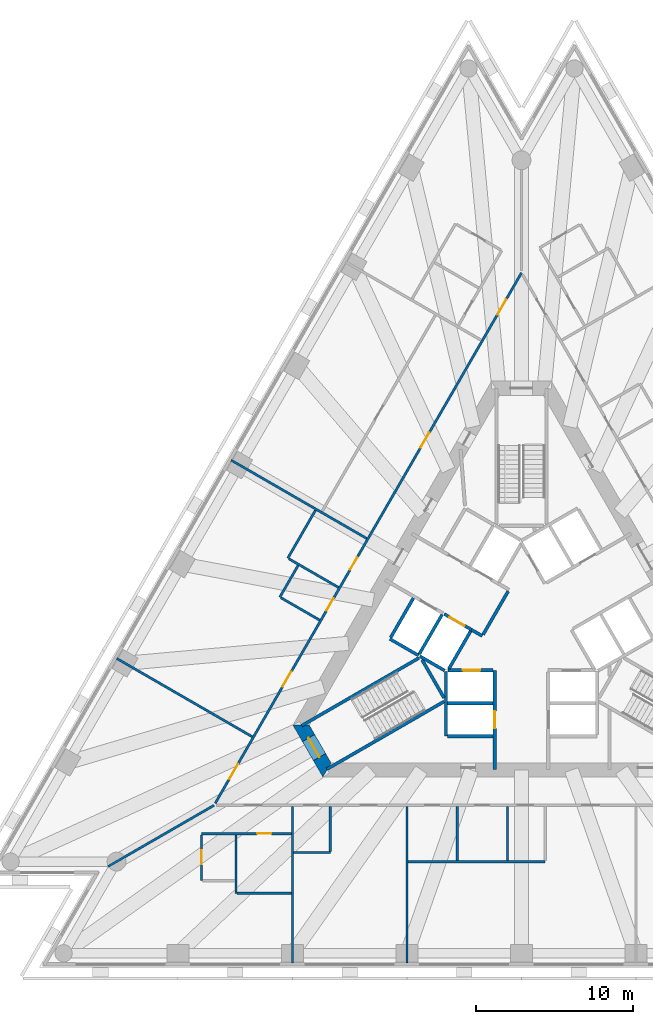
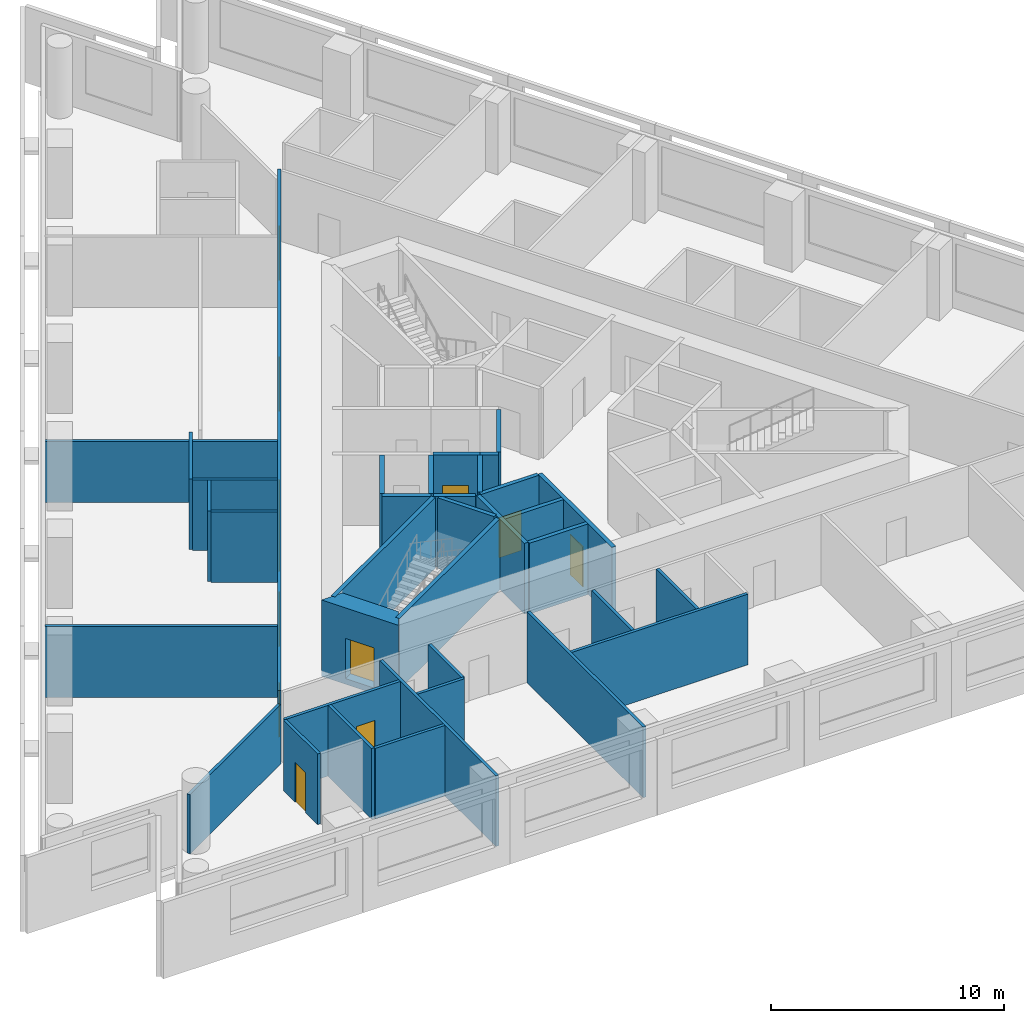
# One storey, part 3 of 11: 36 walls, 12 doors, 12 openings.
"""IFC4 building model written with IfcOpenShell, lengths in metres."""

from ifc_helpers import new_model, si_unit, direction, frame, frame_2d, origin, place, context, subcontext, project, spatial, polyline, rectangle, outline, extrude, material, layer, layer_set, type_object, element, fill, save


model = new_model("IFC4")

# Units and contexts
model_context = context("Model", 3, precision=1e-05, world=origin(), true_north=direction((0.0, 1.0)))
body_context = subcontext(model_context, "Body", "Model", "MODEL_VIEW")
ifc_project = project(units=[si_unit("LENGTHUNIT", "METRE"), si_unit("AREAUNIT", "SQUARE_METRE"), si_unit("VOLUMEUNIT", "CUBIC_METRE"), si_unit("PLANEANGLEUNIT", "RADIAN"), si_unit("MASSUNIT", "GRAM", prefix="KILO")], contexts=[model_context])

# Site, building, storey
site_placement = place(None, origin())
site = spatial("IfcSite", under=ifc_project, at=site_placement, CompositionType="ELEMENT")
building_placement = place(site_placement, origin())
building = spatial("IfcBuilding", under=site, at=building_placement, Name="Triada Interchange Tower", CompositionType="ELEMENT")
storey_placement = place(building_placement, frame((0.0, 0.0, 75.300048828125)))
storey = spatial("IfcBuildingStorey", under=building, at=storey_placement, Name="L16", CompositionType="ELEMENT", Elevation=75.300048828125)

# Walls
ifc_material_1 = material(Name="Concrete C30/37", Category="concrete")
ifc_layer_1 = layer(ifc_material_1, 0.199951171875)
ifc_layer_set_1 = layer_set([ifc_layer_1], Name="CORE WALL 200 EI 120")
wall_type_1 = type_object("IfcWallType", Name="CORE WALL 200 EI 120", PredefinedType="SOLIDWALL", material=ifc_layer_set_1)
wall_1_placement = place(storey_placement, frame((-8.3759765625, -0.70703125, 0.0), z_axis=(0.0, 0.0, 1.0), x_axis=(0.866067520717, -0.499927044236, 0.0)))
element("IfcWall", 1, at=wall_1_placement, inside=storey, type_object=wall_type_1, Name="Wall L15 52", PredefinedType="SOLIDWALL", context=body_context, shape_type="SweptSolid", body=[
    extrude(rectangle(XDim=2.100341796875, YDim=0.199951171875, at=frame_2d((1.05029296875, 0.0))), origin(), (0.0, 0.0, 1.0), 3.699951171875),
])
wall_2_placement = place(storey_placement, frame((-8.325927734375, -0.6201171875, 0.0), z_axis=(0.0, 0.0, 1.0), x_axis=(0.500023687443, 0.866011727401, 0.0)))
element("IfcWall", 2, at=wall_2_placement, inside=storey, type_object=wall_type_1, Name="Wall L15 53", PredefinedType="SOLIDWALL", context=body_context, shape_type="SweptSolid", body=[
    extrude(rectangle(XDim=2.899658203125, YDim=0.199951171875, at=frame_2d((1.44970703125, 0.0))), origin(), (0.0, 0.0, 1.0), 3.699951171875),
])
wall_3_placement = place(storey_placement, frame((-4.699951171875, -4.800048828125, 0.0), z_axis=(0.0, 0.0, 1.0), x_axis=(1.0, 0.0, 0.0)))
element("IfcWall", 3, at=wall_3_placement, inside=storey, type_object=wall_type_1, Name="Wall L15 54", PredefinedType="SOLIDWALL", context=body_context, shape_type="SweptSolid", body=[
    extrude(rectangle(XDim=2.89990234375, YDim=0.199951171875, at=frame_2d((1.449951171875, 0.0))), origin(), (0.0, 0.0, 1.0), 3.699951171875),
])
wall_4_placement = place(storey_placement, frame((-4.800048828125, -6.89990234375, 0.0), z_axis=(0.0, 0.0, 1.0), x_axis=(0.0, 1.0, 0.0)))
element("IfcWall", 4, at=wall_4_placement, inside=storey, type_object=wall_type_1, Name="Wall L15 56", PredefinedType="SOLIDWALL", context=body_context, shape_type="SweptSolid", body=[
    extrude(rectangle(XDim=4.130859375, YDim=0.199951171875, at=frame_2d((2.0654296875, 0.0))), origin(), (0.0, 0.0, 1.0), 3.699951171875),
])
wall_5_placement = place(storey_placement, frame((-4.699951171875, -6.89990234375, 0.0), z_axis=(0.0, 0.0, 1.0), x_axis=(1.0, 0.0, 0.0)))
element("IfcWall", 5, at=wall_5_placement, inside=storey, type_object=wall_type_1, Name="Wall L15 57", PredefinedType="SOLIDWALL", context=body_context, shape_type="SweptSolid", body=[
    extrude(rectangle(XDim=2.89990234375, YDim=0.199951171875, at=frame_2d((1.449951171875, 0.0))), origin(), (0.0, 0.0, 1.0), 3.699951171875),
])

# Wall, opening, door
wall_6_placement = place(storey_placement, frame((-1.699951171875, -9.030029296875, 0.0), z_axis=(0.0, 0.0, 1.0), x_axis=(0.0, 1.0, 0.0)))
wall_6 = element("IfcWall", 6, at=wall_6_placement, inside=storey, type_object=wall_type_1, Name="Wall L15 59", PredefinedType="SOLIDWALL", context=body_context, shape_type="SweptSolid", body=[
    extrude(rectangle(XDim=6.3271484375, YDim=0.199951171875, at=frame_2d((3.16357421875, 0.0))), origin(), (0.0, 0.0, 1.0), 3.699951171875),
])
opening_1_placement = place(wall_6_placement, frame((2.6298828125, 0.0, 0.0)))
opening_1 = element("IfcOpeningElement", 7, at=opening_1_placement, cuts=wall_6, Name="Opening LD-LR4", PredefinedType="OPENING", context=body_context, shape_type="SweptSolid", body=[
    extrude(rectangle(XDim=1.10009765625, YDim=2.10009765625, at=frame_2d((0.550048828125, 1.050048828125))), frame((0.0, 0.10986328125, 0.0), z_axis=(0.0, -1.0, 0.0), x_axis=(1.0, 0.0, 0.0)), (0.0, 0.0, 1.0), 0.219970703125),
])
ifc_material_2 = material(Name="Steel S235 door leaf", Category="steel")
door_type_1 = type_object("IfcDoorType", Name="LIFT LANDING DOOR 1100 EI 120", OperationType="SLIDING_TO_LEFT", PredefinedType="DOOR", material=ifc_material_2)
door_1_placement = place(opening_1_placement, origin())
door_1 = element("IfcDoor", 8, at=door_1_placement, inside=storey, type_object=door_type_1, Name="LR4 landing door L16", OperationType="SLIDING_TO_LEFT", OverallHeight=2.10009765625, OverallWidth=1.10009765625, PredefinedType="DOOR", context=body_context, shape_type="SweptSolid", body=[
    extrude(rectangle(XDim=1.10009765625, YDim=2.10009765625, at=frame_2d((0.550048828125, 1.050048828125))), frame((0.0, 0.02490234375, 0.0), z_axis=(0.0, -1.0, 0.0), x_axis=(1.0, 0.0, 0.0)), (0.0, 0.0, 1.0), 0.050048828125),
])
fill(opening_1, door_1)

wall_7_placement = place(storey_placement, frame((-4.676025390625, -2.699951171875, 0.0), z_axis=(0.0, 0.0, 1.0), x_axis=(1.0, 0.0, 0.0)))
wall_7 = element("IfcWall", 9, at=wall_7_placement, inside=storey, type_object=wall_type_1, Name="Wall L15 60", PredefinedType="SOLIDWALL", context=body_context, shape_type="SweptSolid", body=[
    extrude(rectangle(XDim=2.873046875, YDim=0.199951171875, at=frame_2d((1.4365234375, 0.0))), origin(), (0.0, 0.0, 1.0), 3.699951171875),
])
opening_2_placement = place(wall_7_placement, frame((0.93701171875, 0.0, 0.0)))
opening_2 = element("IfcOpeningElement", 10, at=opening_2_placement, cuts=wall_7, Name="Opening LD-LR3", PredefinedType="OPENING", context=body_context, shape_type="SweptSolid", body=[
    extrude(rectangle(XDim=1.10009765625, YDim=2.10009765625, at=frame_2d((0.550048828125, 1.050048828125))), frame((0.0, 0.10986328125, 0.0), z_axis=(0.0, -1.0, 0.0), x_axis=(1.0, 0.0, 0.0)), (0.0, 0.0, 1.0), 0.219970703125),
])
door_2_placement = place(opening_2_placement, origin())
door_2 = element("IfcDoor", 11, at=door_2_placement, inside=storey, type_object=door_type_1, Name="LR3 landing door L16", OperationType="SLIDING_TO_LEFT", OverallHeight=2.10009765625, OverallWidth=1.10009765625, PredefinedType="DOOR", context=body_context, shape_type="SweptSolid", body=[
    extrude(rectangle(XDim=1.10009765625, YDim=2.10009765625, at=frame_2d((0.550048828125, 1.050048828125))), frame((0.0, 0.02490234375, 0.0), z_axis=(0.0, -1.0, 0.0), x_axis=(1.0, 0.0, 0.0)), (0.0, 0.0, 1.0), 0.050048828125),
])
fill(opening_2, door_2)

# Walls
ifc_layer_2 = layer(ifc_material_1, 0.199951171875)
ifc_layer_set_2 = layer_set([ifc_layer_2], Name="CORE WALL 200 EI 180")
wall_type_2 = type_object("IfcWallType", Name="CORE WALL 200 EI 180", PredefinedType="SOLIDWALL", material=ifc_layer_set_2)
wall_8_placement = place(storey_placement, frame((-3.18798828125, -0.1220703125, 0.0), z_axis=(0.0, 0.0, 1.0), x_axis=(0.865705793592, -0.50055317294, 0.0)))
element("IfcWall", 12, at=wall_8_placement, inside=storey, type_object=wall_type_2, Name="Wall L15 75", PredefinedType="SOLIDWALL", context=body_context, shape_type="SweptSolid", body=[
    extrude(rectangle(XDim=0.796875, YDim=0.199951171875, at=frame_2d((0.3984375, 0.0))), origin(), (0.0, 0.0, 1.0), 3.699951171875),
])
wall_9_placement = place(storey_placement, frame((-2.444091796875, -0.43310546875, 0.0), z_axis=(0.0, 0.0, 1.0), x_axis=(0.500035624827, 0.866004834804, 0.0)))
element("IfcWall", 13, at=wall_9_placement, inside=storey, type_object=wall_type_2, Name="Wall L15 80", PredefinedType="SOLIDWALL", context=body_context, shape_type="SweptSolid", body=[
    extrude(rectangle(XDim=3.194091796875, YDim=0.199951171875, at=frame_2d((1.59716796875, 0.0))), origin(), (0.0, 0.0, 1.0), 3.699951171875),
])
wall_10_placement = place(storey_placement, frame((-6.507080078125, -1.669921875, 0.0), z_axis=(0.0, 0.0, 1.0), x_axis=(0.50012328804, 0.865954211699, 0.0)))
element("IfcWall", 14, at=wall_10_placement, inside=storey, type_object=wall_type_2, Name="Shaft wall FF1 L15 81", PredefinedType="SOLIDWALL", context=body_context, shape_type="SweptSolid", body=[
    extrude(rectangle(XDim=2.899658203125, YDim=0.199951171875, at=frame_2d((1.44970703125, 0.0))), origin(), (0.0, 0.0, 1.0), 3.699951171875),
])
wall_11_placement = place(storey_placement, frame((-6.469970703125, -1.806884765625, 0.0), z_axis=(0.0, 0.0, 1.0), x_axis=(0.865883195159, -0.500246231712, 0.0)))
element("IfcWall", 15, at=wall_11_placement, inside=storey, type_object=wall_type_2, Name="Shaft wall FF1 L15 82", PredefinedType="SOLIDWALL", context=body_context, shape_type="SweptSolid", body=[
    extrude(rectangle(XDim=1.8154296875, YDim=0.199951171875, at=frame_2d((0.90771484375, 0.0))), origin(), (0.0, 0.0, 1.0), 3.699951171875),
])

# Wall, opening, door
wall_12_placement = place(storey_placement, frame((-4.922119140625, 0.87890625, 0.0), z_axis=(0.0, 0.0, 1.0), x_axis=(0.866073918653, -0.499915960366, 0.0)))
wall_12 = element("IfcWall", 16, at=wall_12_placement, inside=storey, type_object=wall_type_2, Name="Shaft wall FF1 L15 83", PredefinedType="SOLIDWALL", context=body_context, shape_type="SweptSolid", body=[
    extrude(rectangle(XDim=2.002197265625, YDim=0.199951171875, at=frame_2d((1.0009765625, 0.0))), origin(), (0.0, 0.0, 1.0), 3.699951171875),
])
opening_3_placement = place(wall_12_placement, frame((0.402099609375, 0.0, 0.0)))
opening_3 = element("IfcOpeningElement", 17, at=opening_3_placement, cuts=wall_12, Name="Opening LD-FF1", PredefinedType="OPENING", context=body_context, shape_type="SweptSolid", body=[
    extrude(rectangle(XDim=1.10009765625, YDim=2.10009765625, at=frame_2d((0.550048828125, 1.050048828125))), frame((0.0, 0.10986328125, 0.0), z_axis=(0.0, -1.0, 0.0), x_axis=(1.0, 0.0, 0.0)), (0.0, 0.0, 1.0), 0.219970703125),
])
door_3_placement = place(opening_3_placement, origin())
door_3 = element("IfcDoor", 18, at=door_3_placement, inside=storey, type_object=door_type_1, Name="FF1 landing door L16", OperationType="SLIDING_TO_LEFT", OverallHeight=2.10009765625, OverallWidth=1.10009765625, PredefinedType="DOOR", context=body_context, shape_type="SweptSolid", body=[
    extrude(rectangle(XDim=1.10009765625, YDim=2.10009765625, at=frame_2d((0.550048828125, 1.050048828125))), frame((0.0, 0.02490234375, 0.0), z_axis=(0.0, -1.0, 0.0), x_axis=(1.0, 0.0, 0.0)), (0.0, 0.0, 1.0), 0.050048828125),
])
fill(opening_3, door_3)

# Walls
wall_13_placement = place(storey_placement, frame((-4.618896484375, -2.60009765625, 0.0), z_axis=(0.0, 0.0, 1.0), x_axis=(0.50009492287, 0.865970593103, 0.0)))
element("IfcWall", 19, at=wall_13_placement, inside=storey, type_object=wall_type_2, Name="Shaft wall FF1 L15 84", PredefinedType="SOLIDWALL", context=body_context, shape_type="SweptSolid", body=[
    extrude(rectangle(XDim=2.76123046875, YDim=0.199951171875, at=frame_2d((1.380615234375, 0.0))), origin(), (0.0, 0.0, 1.0), 3.699951171875),
])
ifc_layer_3 = layer(ifc_material_1, 0.199951171875)
ifc_layer_set_3 = layer_set([ifc_layer_3], Name="CORE WALL 200 REI 240")
wall_type_3 = type_object("IfcWallType", Name="CORE WALL 200 REI 240", PredefinedType="SOLIDWALL", material=ifc_layer_set_3)
wall_14_placement = place(storey_placement, frame((-13.989990234375, -6.22900390625, 0.0), z_axis=(0.0, 0.0, 1.0), x_axis=(0.866060059011, 0.499939970583, 0.0)))
element("IfcWall", 20, at=wall_14_placement, inside=storey, type_object=wall_type_3, Name="Wall L15 93", PredefinedType="SOLIDWALL", context=body_context, shape_type="SweptSolid", body=[
    extrude(rectangle(XDim=8.61474609375, YDim=0.199951171875, at=frame_2d((4.307373046875, 0.0))), origin(), (0.0, 0.0, 1.0), 3.699951171875),
])
wall_15_placement = place(storey_placement, frame((-6.3291015625, -2.0380859375, 0.0), z_axis=(0.0, 0.0, 1.0), x_axis=(0.500200581029, -0.865909567298, 0.0)))
element("IfcWall", 21, at=wall_15_placement, inside=storey, type_object=wall_type_3, Name="Wall L15 94", PredefinedType="SOLIDWALL", context=body_context, shape_type="SweptSolid", body=[
    extrude(rectangle(XDim=2.799072265625, YDim=0.199951171875, at=frame_2d((1.3994140625, 0.0))), origin(), (0.0, 0.0, 1.0), 3.699951171875),
])
wall_16_placement = place(storey_placement, frame((-12.389892578125, -9.0009765625, 0.0), z_axis=(0.0, 0.0, 1.0), x_axis=(0.866010975815, 0.500024989144, 0.0)))
element("IfcWall", 22, at=wall_16_placement, inside=storey, type_object=wall_type_3, Name="Wall L15 95", PredefinedType="SOLIDWALL", context=body_context, shape_type="SweptSolid", body=[
    extrude(rectangle(XDim=8.615234375, YDim=0.199951171875, at=frame_2d((4.3076171875, 0.0))), origin(), (0.0, 0.0, 1.0), 3.699951171875),
])

# Wall, opening, door
ifc_material_3 = material(Name="Concrete C70/85", Category="concrete")
ifc_layer_4 = layer(ifc_material_3, 0.89990234375)
ifc_layer_set_4 = layer_set([ifc_layer_4], Name="Core wall A 900")
wall_type_4 = type_object("IfcWallType", Name="Core wall A 900", PredefinedType="SHEAR", material=ifc_layer_set_4)
wall_17_placement = place(storey_placement, frame((-14.030029296875, -6.199951171875, -0.300048828125), z_axis=(0.0, 0.0, 1.0), x_axis=(0.500111984565, -0.865960739811, 0.0)))
wall_17 = element("IfcWall", 23, at=wall_17_placement, inside=storey, type_object=wall_type_4, Name="Core wall WA03 L16", PredefinedType="SHEAR", context=body_context, shape_type="SweptSolid", body=[
    extrude(outline(polyline([(-0.260009765625, -0.448974609375), (1.6455078125, -0.449462890625), (3.551025390625, -0.449951171875), (3.031982421875, 0.449951171875), (1.64599609375, 0.449951171875), (0.260009765625, 0.449951171875), (-0.260009765625, -0.448974609375)])), origin(), (0.0, 0.0, 1.0), 4.0),
])
opening_4_placement = place(wall_17_placement, frame((0.946044921875, 0.0, 0.300048828125)))
opening_4 = element("IfcOpeningElement", 24, at=opening_4_placement, cuts=wall_17, Name="Opening D15-45", PredefinedType="OPENING", context=body_context, shape_type="SweptSolid", body=[
    extrude(rectangle(XDim=1.39990234375, YDim=2.10009765625, at=frame_2d((0.699951171875, 1.050048828125))), frame((0.0, 0.4599609375, 0.0), z_axis=(0.0, -1.0, 0.0), x_axis=(1.0, 0.0, 0.0)), (0.0, 0.0, 1.0), 0.919921875),
])
door_type_2 = type_object("IfcDoorType", Name="STAIR DOOR 1400 EI2 90-C5S200", OperationType="DOUBLE_DOOR_SINGLE_SWING", PredefinedType="DOOR", material=ifc_material_2)
door_4_placement = place(opening_4_placement, origin())
door_4 = element("IfcDoor", 25, at=door_4_placement, inside=storey, type_object=door_type_2, Name="Door D15-45 L16", OperationType="DOUBLE_DOOR_SINGLE_SWING", OverallHeight=2.10009765625, OverallWidth=1.39990234375, PredefinedType="DOOR", context=body_context, shape_type="SweptSolid", body=[
    extrude(rectangle(XDim=1.39990234375, YDim=2.10009765625, at=frame_2d((0.699951171875, 1.050048828125))), frame((0.0, 0.02490234375, 0.0), z_axis=(0.0, -1.0, 0.0), x_axis=(1.0, 0.0, 0.0)), (0.0, 0.0, 1.0), 0.050048828125),
])
fill(opening_4, door_4)

# Walls
ifc_material_4 = material(Name="Gypsum board partition")
ifc_layer_5 = layer(ifc_material_4, 0.14990234375)
ifc_layer_set_5 = layer_set([ifc_layer_5], Name="PARTITION 150 EI 180")
wall_type_5 = type_object("IfcWallType", Name="PARTITION 150 EI 180", PredefinedType="PARTITIONING", material=ifc_layer_set_5)
wall_18_placement = place(storey_placement, frame((-26.31689453125, -15.194091796875, 0.0), z_axis=(0.0, 0.0, 1.0), x_axis=(0.866031591824, 0.499989281847, 0.0)))
element("IfcWall", 26, at=wall_18_placement, inside=storey, type_object=wall_type_5, Name="Wall L15 1", PredefinedType="PARTITIONING", context=body_context, shape_type="SweptSolid", body=[
    extrude(rectangle(XDim=7.788330078125, YDim=0.14990234375, at=frame_2d((3.89404296875, 0.0))), origin(), (0.0, 0.0, 1.0), 3.099853515625),
])
wall_19_placement = place(storey_placement, frame((-25.77099609375, -1.950927734375, 0.0), z_axis=(0.0, 0.0, 1.0), x_axis=(0.866008152443, -0.500029879009, 0.0)))
element("IfcWall", 27, at=wall_19_placement, inside=storey, type_object=wall_type_5, Name="Wall L15 2", PredefinedType="PARTITIONING", context=body_context, shape_type="SweptSolid", body=[
    extrude(rectangle(XDim=9.9677734375, YDim=0.14990234375, at=frame_2d((4.98388671875, 0.0))), origin(), (0.0, 0.0, 1.0), 3.699951171875),
])

# Wall, openings, doors
wall_20_placement = place(storey_placement, frame((-19.4970703125, -11.169921875, 0.0), z_axis=(0.0, 0.0, 1.0), x_axis=(0.499998854553, 0.866026065108, 0.0)))
wall_20 = element("IfcWall", 28, at=wall_20_placement, inside=storey, type_object=wall_type_5, Name="Wall L15 3", PredefinedType="PARTITIONING", context=body_context, shape_type="SweptSolid", body=[
    extrude(rectangle(XDim=38.994140625, YDim=0.14990234375, at=frame_2d((19.4970703125, 0.0))), origin(), (0.0, 0.0, 1.0), 3.699951171875),
])
opening_5_placement = place(wall_20_placement, frame((35.944091796875, 0.0, 0.0)))
opening_5 = element("IfcOpeningElement", 29, at=opening_5_placement, cuts=wall_20, Name="Opening D15-34", PredefinedType="OPENING", context=body_context, shape_type="SweptSolid", body=[
    extrude(rectangle(XDim=1.10009765625, YDim=2.10009765625, at=frame_2d((0.550048828125, 1.050048828125))), frame((0.0, 0.0849609375, 0.0), z_axis=(0.0, -1.0, 0.0), x_axis=(1.0, 0.0, 0.0)), (0.0, 0.0, 1.0), 0.169921875),
])
opening_6_placement = place(wall_20_placement, frame((26.14794921875, 0.0, 0.0)))
opening_6 = element("IfcOpeningElement", 30, at=opening_6_placement, cuts=wall_20, Name="Opening D15-37", PredefinedType="OPENING", context=body_context, shape_type="SweptSolid", body=[
    extrude(rectangle(XDim=1.10009765625, YDim=2.10009765625, at=frame_2d((0.550048828125, 1.050048828125))), frame((0.0, 0.0849609375, 0.0), z_axis=(0.0, -1.0, 0.0), x_axis=(1.0, 0.0, 0.0)), (0.0, 0.0, 1.0), 0.169921875),
])
opening_7_placement = place(wall_20_placement, frame((8.572021484375, 0.0, 0.0)))
opening_7 = element("IfcOpeningElement", 31, at=opening_7_placement, cuts=wall_20, Name="Opening D15-39", PredefinedType="OPENING", context=body_context, shape_type="SweptSolid", body=[
    extrude(rectangle(XDim=1.10009765625, YDim=2.10009765625, at=frame_2d((0.550048828125, 1.050048828125))), frame((0.0, 0.0849609375, 0.0), z_axis=(0.0, -1.0, 0.0), x_axis=(1.0, 0.0, 0.0)), (0.0, 0.0, 1.0), 0.169921875),
])
opening_8_placement = place(wall_20_placement, frame((17.172119140625, 0.0, 0.0)))
opening_8 = element("IfcOpeningElement", 32, at=opening_8_placement, cuts=wall_20, Name="Opening D15-40", PredefinedType="OPENING", context=body_context, shape_type="SweptSolid", body=[
    extrude(rectangle(XDim=0.89990234375, YDim=2.10009765625, at=frame_2d((0.449951171875, 1.050048828125))), frame((0.0, 0.0849609375, 0.0), z_axis=(0.0, -1.0, 0.0), x_axis=(1.0, 0.0, 0.0)), (0.0, 0.0, 1.0), 0.169921875),
])
opening_9_placement = place(wall_20_placement, frame((14.172119140625, 0.0, 0.0)))
opening_9 = element("IfcOpeningElement", 33, at=opening_9_placement, cuts=wall_20, Name="Opening D15-41", PredefinedType="OPENING", context=body_context, shape_type="SweptSolid", body=[
    extrude(rectangle(XDim=0.89990234375, YDim=2.10009765625, at=frame_2d((0.449951171875, 1.050048828125))), frame((0.0, 0.0849609375, 0.0), z_axis=(0.0, -1.0, 0.0), x_axis=(1.0, 0.0, 0.0)), (0.0, 0.0, 1.0), 0.169921875),
])
opening_10_placement = place(wall_20_placement, frame((1.797119140625, 0.0, 0.0)))
opening_10 = element("IfcOpeningElement", 34, at=opening_10_placement, cuts=wall_20, Name="Opening D15-42", PredefinedType="OPENING", context=body_context, shape_type="SweptSolid", body=[
    extrude(rectangle(XDim=1.10009765625, YDim=2.10009765625, at=frame_2d((0.550048828125, 1.050048828125))), frame((0.0, 0.0849609375, 0.0), z_axis=(0.0, -1.0, 0.0), x_axis=(1.0, 0.0, 0.0)), (0.0, 0.0, 1.0), 0.169921875),
])
door_type_3 = type_object("IfcDoorType", Name="ROOM DOOR 900 EI2 90-C5S200", OperationType="NOTDEFINED", PredefinedType="DOOR", material=ifc_material_2)
door_5_placement = place(opening_8_placement, origin())
door_5 = element("IfcDoor", 35, at=door_5_placement, inside=storey, type_object=door_type_3, Name="Door D15-40 L16", OperationType="SINGLE_SWING_LEFT", OverallHeight=2.10009765625, OverallWidth=0.89990234375, PredefinedType="DOOR", context=body_context, shape_type="SweptSolid", body=[
    extrude(rectangle(XDim=0.89990234375, YDim=2.10009765625, at=frame_2d((0.449951171875, 1.050048828125))), frame((0.0, 0.02490234375, 0.0), z_axis=(0.0, -1.0, 0.0), x_axis=(1.0, 0.0, 0.0)), (0.0, 0.0, 1.0), 0.050048828125),
])
fill(opening_8, door_5)
door_6_placement = place(opening_9_placement, origin())
door_6 = element("IfcDoor", 36, at=door_6_placement, inside=storey, type_object=door_type_3, Name="Door D15-41 L16", OperationType="SINGLE_SWING_RIGHT", OverallHeight=2.10009765625, OverallWidth=0.89990234375, PredefinedType="DOOR", context=body_context, shape_type="SweptSolid", body=[
    extrude(rectangle(XDim=0.89990234375, YDim=2.10009765625, at=frame_2d((0.449951171875, 1.050048828125))), frame((0.0, 0.02490234375, 0.0), z_axis=(0.0, -1.0, 0.0), x_axis=(1.0, 0.0, 0.0)), (0.0, 0.0, 1.0), 0.050048828125),
])
fill(opening_9, door_6)
door_type_4 = type_object("IfcDoorType", Name="TENANCY ENTRANCE DOOR 1100 EI2 90-C5S200", OperationType="NOTDEFINED", PredefinedType="DOOR", material=ifc_material_2)
door_7_placement = place(opening_5_placement, origin())
door_7 = element("IfcDoor", 37, at=door_7_placement, inside=storey, type_object=door_type_4, Name="Door D15-34 L16", OperationType="SINGLE_SWING_RIGHT", OverallHeight=2.10009765625, OverallWidth=1.10009765625, PredefinedType="DOOR", context=body_context, shape_type="SweptSolid", body=[
    extrude(rectangle(XDim=1.10009765625, YDim=2.10009765625, at=frame_2d((0.550048828125, 1.050048828125))), frame((0.0, 0.02490234375, 0.0), z_axis=(0.0, -1.0, 0.0), x_axis=(1.0, 0.0, 0.0)), (0.0, 0.0, 1.0), 0.050048828125),
])
fill(opening_5, door_7)
door_8_placement = place(opening_6_placement, origin())
door_8 = element("IfcDoor", 38, at=door_8_placement, inside=storey, type_object=door_type_4, Name="Door D15-37 L16", OperationType="SINGLE_SWING_RIGHT", OverallHeight=2.10009765625, OverallWidth=1.10009765625, PredefinedType="DOOR", context=body_context, shape_type="SweptSolid", body=[
    extrude(rectangle(XDim=1.10009765625, YDim=2.10009765625, at=frame_2d((0.550048828125, 1.050048828125))), frame((0.0, 0.02490234375, 0.0), z_axis=(0.0, -1.0, 0.0), x_axis=(1.0, 0.0, 0.0)), (0.0, 0.0, 1.0), 0.050048828125),
])
fill(opening_6, door_8)
door_9_placement = place(opening_7_placement, origin())
door_9 = element("IfcDoor", 39, at=door_9_placement, inside=storey, type_object=door_type_4, Name="Door D15-39 L16", OperationType="SINGLE_SWING_RIGHT", OverallHeight=2.10009765625, OverallWidth=1.10009765625, PredefinedType="DOOR", context=body_context, shape_type="SweptSolid", body=[
    extrude(rectangle(XDim=1.10009765625, YDim=2.10009765625, at=frame_2d((0.550048828125, 1.050048828125))), frame((0.0, 0.02490234375, 0.0), z_axis=(0.0, -1.0, 0.0), x_axis=(1.0, 0.0, 0.0)), (0.0, 0.0, 1.0), 0.050048828125),
])
fill(opening_7, door_9)
door_10_placement = place(opening_10_placement, origin())
door_10 = element("IfcDoor", 40, at=door_10_placement, inside=storey, type_object=door_type_4, Name="Door D15-42 L16", OperationType="SINGLE_SWING_LEFT", OverallHeight=2.10009765625, OverallWidth=1.10009765625, PredefinedType="DOOR", context=body_context, shape_type="SweptSolid", body=[
    extrude(rectangle(XDim=1.10009765625, YDim=2.10009765625, at=frame_2d((0.550048828125, 1.050048828125))), frame((0.0, 0.02490234375, 0.0), z_axis=(0.0, -1.0, 0.0), x_axis=(1.0, 0.0, 0.0)), (0.0, 0.0, 1.0), 0.050048828125),
])
fill(opening_10, door_10)

# Walls
wall_21_placement = place(storey_placement, frame((-18.48291015625, 10.6708984375, 0.0), z_axis=(0.0, 0.0, 1.0), x_axis=(0.866012634826, -0.500022115832, 0.0)))
element("IfcWall", 41, at=wall_21_placement, inside=storey, type_object=wall_type_5, Name="Wall L15 5", PredefinedType="PARTITIONING", context=body_context, shape_type="SweptSolid", body=[
    extrude(rectangle(XDim=9.96728515625, YDim=0.14990234375, at=frame_2d((4.983642578125, 0.0))), origin(), (0.0, 0.0, 1.0), 3.199951171875),
])
wall_22_placement = place(storey_placement, frame((-14.574951171875, -21.342041015625, 0.0), z_axis=(0.0, 0.0, 1.0), x_axis=(0.0, 1.0, 0.0)))
element("IfcWall", 42, at=wall_22_placement, inside=storey, type_object=wall_type_5, Name="Wall L15 7", PredefinedType="PARTITIONING", context=body_context, shape_type="SweptSolid", body=[
    extrude(rectangle(XDim=9.967041015625, YDim=0.14990234375, at=frame_2d((4.9833984375, 0.0))), origin(), (0.0, 0.0, 1.0), 3.699951171875),
])
wall_23_placement = place(storey_placement, frame((-14.5, -14.300048828125, 0.0), z_axis=(0.0, 0.0, 1.0), x_axis=(1.0, 0.0, 0.0)))
element("IfcWall", 43, at=wall_23_placement, inside=storey, type_object=wall_type_5, Name="Wall L15 8", PredefinedType="PARTITIONING", context=body_context, shape_type="SweptSolid", body=[
    extrude(rectangle(XDim=2.324951171875, YDim=0.14990234375, at=frame_2d((1.16259765625, 0.0))), origin(), (0.0, 0.0, 1.0), 3.699951171875),
])
wall_24_placement = place(storey_placement, frame((-12.175048828125, -14.22509765625, 0.0), z_axis=(0.0, 0.0, 1.0), x_axis=(0.0, 1.0, 0.0)))
element("IfcWall", 44, at=wall_24_placement, inside=storey, type_object=wall_type_5, Name="Wall L15 9", PredefinedType="PARTITIONING", context=body_context, shape_type="SweptSolid", body=[
    extrude(rectangle(XDim=2.85009765625, YDim=0.14990234375, at=frame_2d((1.425048828125, 0.0))), origin(), (0.0, 0.0, 1.0), 3.699951171875),
])
wall_25_placement = place(storey_placement, frame((-14.876953125, 4.431884765625, 0.0), z_axis=(0.0, 0.0, 1.0), x_axis=(0.499826373536, 0.866125623866, 0.0)))
element("IfcWall", 45, at=wall_25_placement, inside=storey, type_object=wall_type_5, Name="Wall L15 10", PredefinedType="PARTITIONING", context=body_context, shape_type="SweptSolid", body=[
    extrude(rectangle(XDim=3.525146484375, YDim=0.14990234375, at=frame_2d((1.7626953125, 0.0))), origin(), (0.0, 0.0, 1.0), 3.699951171875),
])
wall_26_placement = place(storey_placement, frame((-14.81201171875, 4.39501953125, 0.0), z_axis=(0.0, 0.0, 1.0), x_axis=(0.866040790738, -0.499973348067, 0.0)))
element("IfcWall", 46, at=wall_26_placement, inside=storey, type_object=wall_type_5, Name="Wall L15 11", PredefinedType="PARTITIONING", context=body_context, shape_type="SweptSolid", body=[
    extrude(rectangle(XDim=3.650146484375, YDim=0.14990234375, at=frame_2d((1.8251953125, 0.0))), origin(), (0.0, 0.0, 1.0), 3.699951171875),
])
wall_27_placement = place(storey_placement, frame((-15.384033203125, 1.9541015625, 0.0), z_axis=(0.0, 0.0, 1.0), x_axis=(0.499980071345, 0.866036909293, 0.0)))
element("IfcWall", 47, at=wall_27_placement, inside=storey, type_object=wall_type_5, Name="Wall L15 12", PredefinedType="PARTITIONING", context=body_context, shape_type="SweptSolid", body=[
    extrude(rectangle(XDim=2.32421875, YDim=0.14990234375, at=frame_2d((1.162109375, 0.0))), origin(), (0.0, 0.0, 1.0), 3.699951171875),
])
wall_28_placement = place(storey_placement, frame((-15.319091796875, 1.916015625, 0.0), z_axis=(0.0, 0.0, 1.0), x_axis=(0.866004402611, -0.500036373335, 0.0)))
element("IfcWall", 48, at=wall_28_placement, inside=storey, type_object=wall_type_5, Name="Wall L15 13", PredefinedType="PARTITIONING", context=body_context, shape_type="SweptSolid", body=[
    extrude(rectangle(XDim=2.849853515625, YDim=0.14990234375, at=frame_2d((1.4248046875, 0.0))), origin(), (0.0, 0.0, 1.0), 3.699951171875),
])
wall_29_placement = place(storey_placement, frame((-7.2880859375, -21.342041015625, 0.0), z_axis=(0.0, 0.0, 1.0), x_axis=(0.0, 1.0, 0.0)))
element("IfcWall", 49, at=wall_29_placement, inside=storey, type_object=wall_type_5, Name="Wall L15 15", PredefinedType="PARTITIONING", context=body_context, shape_type="SweptSolid", body=[
    extrude(rectangle(XDim=9.967041015625, YDim=0.14990234375, at=frame_2d((4.9833984375, 0.0))), origin(), (0.0, 0.0, 1.0), 3.699951171875),
])
wall_30_placement = place(storey_placement, frame((-7.212890625, -14.89990234375, 0.0), z_axis=(0.0, 0.0, 1.0), x_axis=(1.0, 0.0, 0.0)))
element("IfcWall", 50, at=wall_30_placement, inside=storey, type_object=wall_type_5, Name="Wall L15 16", PredefinedType="PARTITIONING", context=body_context, shape_type="SweptSolid", body=[
    extrude(rectangle(XDim=8.724853515625, YDim=0.14990234375, at=frame_2d((4.3623046875, 0.0))), origin(), (0.0, 0.0, 1.0), 3.699951171875),
])
for number, where, z_axis, x_axis, name in (
    (51, (-4.087890625, -14.824951171875, 0.0), (0.0, 0.0, 1.0), (0.0, 1.0, 0.0), "Wall L15 17"),
    (52, (-0.887939453125, -14.824951171875, 0.0), (0.0, 0.0, 1.0), (0.0, 1.0, 0.0), "Wall L15 19"),
):
    element("IfcWall", number, at=place(storey_placement, frame(where, z_axis=z_axis, x_axis=x_axis)), inside=storey, type_object=wall_type_5, Name=name, PredefinedType="PARTITIONING", context=body_context, shape_type="SweptSolid", body=[
        extrude(rectangle(XDim=3.449951171875, YDim=0.14990234375, at=frame_2d((1.72509765625, 0.0))), origin(), (0.0, 0.0, 1.0), 3.699951171875),
    ])
ifc_layer_6 = layer(ifc_material_4, 0.14990234375)
ifc_layer_set_6 = layer_set([ifc_layer_6], Name="PARTITION 150 EI 90")
wall_type_6 = type_object("IfcWallType", Name="PARTITION 150 EI 90", PredefinedType="PARTITIONING", material=ifc_layer_set_6)
wall_31_placement = place(storey_placement, frame((-18.175048828125, -16.89990234375, 0.0), z_axis=(0.0, 0.0, 1.0), x_axis=(0.0, 1.0, 0.0)))
element("IfcWall", 53, at=wall_31_placement, inside=storey, type_object=wall_type_6, Name="Wall L15 34", PredefinedType="PARTITIONING", context=body_context, shape_type="SweptSolid", body=[
    extrude(rectangle(XDim=3.724853515625, YDim=0.14990234375, at=frame_2d((1.8623046875, 0.0))), origin(), (0.0, 0.0, 1.0), 3.699951171875),
])

# Wall, opening, door
wall_32_placement = place(storey_placement, frame((-20.375, -13.10009765625, 0.0), z_axis=(0.0, 0.0, 1.0), x_axis=(1.0, 0.0, 0.0)))
wall_32 = element("IfcWall", 54, at=wall_32_placement, inside=storey, type_object=wall_type_6, Name="Wall L15 35", PredefinedType="PARTITIONING", context=body_context, shape_type="SweptSolid", body=[
    extrude(rectangle(XDim=5.72509765625, YDim=0.14990234375, at=frame_2d((2.862548828125, 0.0))), origin(), (0.0, 0.0, 1.0), 3.699951171875),
])
opening_11_placement = place(wall_32_placement, frame((3.550048828125, 0.0, 0.0)))
opening_11 = element("IfcOpeningElement", 55, at=opening_11_placement, cuts=wall_32, Name="Opening D15-12", PredefinedType="OPENING", context=body_context, shape_type="SweptSolid", body=[
    extrude(rectangle(XDim=0.89990234375, YDim=2.10009765625, at=frame_2d((0.449951171875, 1.050048828125))), frame((0.0, 0.0849609375, 0.0), z_axis=(0.0, -1.0, 0.0), x_axis=(1.0, 0.0, 0.0)), (0.0, 0.0, 1.0), 0.169921875),
])
door_type_5 = type_object("IfcDoorType", Name="ROOM DOOR 900 EI2 45-C5S200", OperationType="NOTDEFINED", PredefinedType="DOOR", material=ifc_material_2)
door_11_placement = place(opening_11_placement, origin())
door_11 = element("IfcDoor", 56, at=door_11_placement, inside=storey, type_object=door_type_5, Name="Door D15-12 L16", OperationType="SINGLE_SWING_LEFT", OverallHeight=2.10009765625, OverallWidth=0.89990234375, PredefinedType="DOOR", context=body_context, shape_type="SweptSolid", body=[
    extrude(rectangle(XDim=0.89990234375, YDim=2.10009765625, at=frame_2d((0.449951171875, 1.050048828125))), frame((0.0, 0.02490234375, 0.0), z_axis=(0.0, -1.0, 0.0), x_axis=(1.0, 0.0, 0.0)), (0.0, 0.0, 1.0), 0.050048828125),
])
fill(opening_11, door_11)

wall_33_placement = place(storey_placement, frame((-20.375, -16.10009765625, 0.0), z_axis=(0.0, 0.0, 1.0), x_axis=(0.0, 1.0, 0.0)))
wall_33 = element("IfcWall", 57, at=wall_33_placement, inside=storey, type_object=wall_type_6, Name="Wall L15 37", PredefinedType="PARTITIONING", context=body_context, shape_type="SweptSolid", body=[
    extrude(rectangle(XDim=2.925048828125, YDim=0.14990234375, at=frame_2d((1.46240234375, 0.0))), origin(), (0.0, 0.0, 1.0), 3.699951171875),
])
opening_12_placement = place(wall_33_placement, frame((1.050048828125, 0.0, 0.0)))
opening_12 = element("IfcOpeningElement", 58, at=opening_12_placement, cuts=wall_33, Name="Opening D15-13", PredefinedType="OPENING", context=body_context, shape_type="SweptSolid", body=[
    extrude(rectangle(XDim=0.89990234375, YDim=2.10009765625, at=frame_2d((0.449951171875, 1.050048828125))), frame((0.0, 0.0849609375, 0.0), z_axis=(0.0, -1.0, 0.0), x_axis=(1.0, 0.0, 0.0)), (0.0, 0.0, 1.0), 0.169921875),
])
door_type_6 = type_object("IfcDoorType", Name="SERVICE DOOR 900 EI2 45-C5S200", OperationType="NOTDEFINED", PredefinedType="DOOR", material=ifc_material_2)
door_12_placement = place(opening_12_placement, origin())
door_12 = element("IfcDoor", 59, at=door_12_placement, inside=storey, type_object=door_type_6, Name="Door D15-13 L16", OperationType="SINGLE_SWING_LEFT", OverallHeight=2.10009765625, OverallWidth=0.89990234375, PredefinedType="DOOR", context=body_context, shape_type="SweptSolid", body=[
    extrude(rectangle(XDim=0.89990234375, YDim=2.10009765625, at=frame_2d((0.449951171875, 1.050048828125))), frame((0.0, 0.02490234375, 0.0), z_axis=(0.0, -1.0, 0.0), x_axis=(1.0, 0.0, 0.0)), (0.0, 0.0, 1.0), 0.050048828125),
])
fill(opening_12, door_12)

# Wall
wall_34_placement = place(storey_placement, frame((-18.10009765625, -16.89990234375, 0.0), z_axis=(0.0, 0.0, 1.0), x_axis=(1.0, 0.0, 0.0)))
element("IfcWall", 60, at=wall_34_placement, inside=storey, type_object=wall_type_6, Name="Wall L15 39", PredefinedType="PARTITIONING", context=body_context, shape_type="SweptSolid", body=[
    extrude(rectangle(XDim=3.4501953125, YDim=0.14990234375, at=frame_2d((1.72509765625, 0.0))), origin(), (0.0, 0.0, 1.0), 3.699951171875),
])

save(model, "model.ifc")
